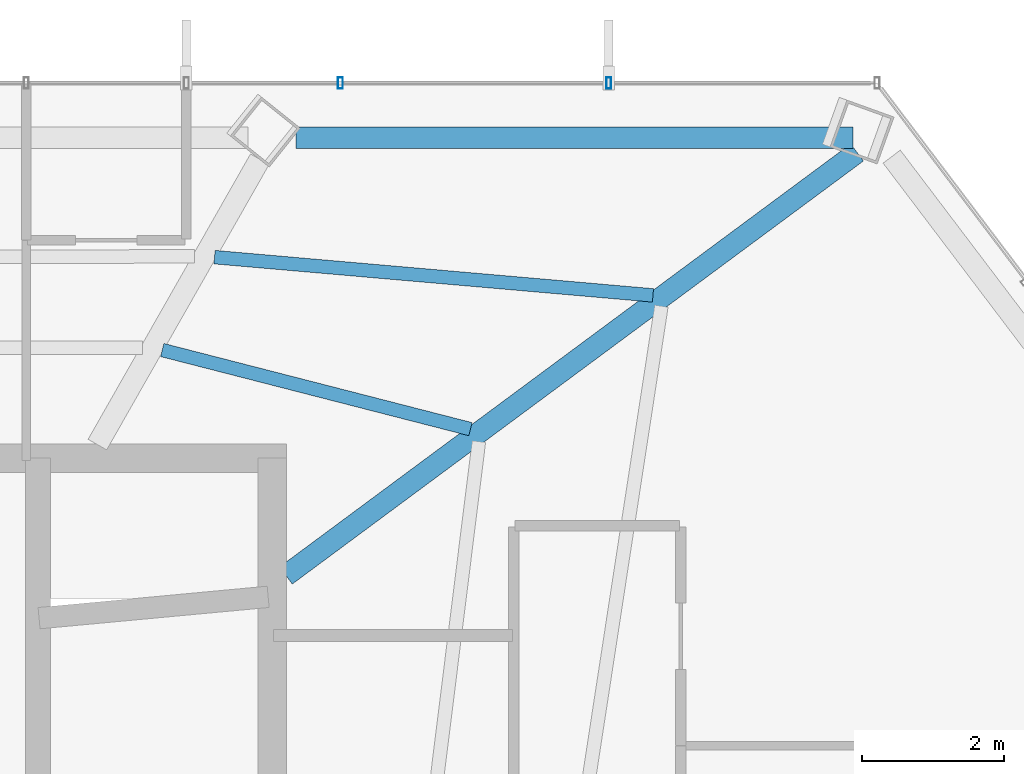
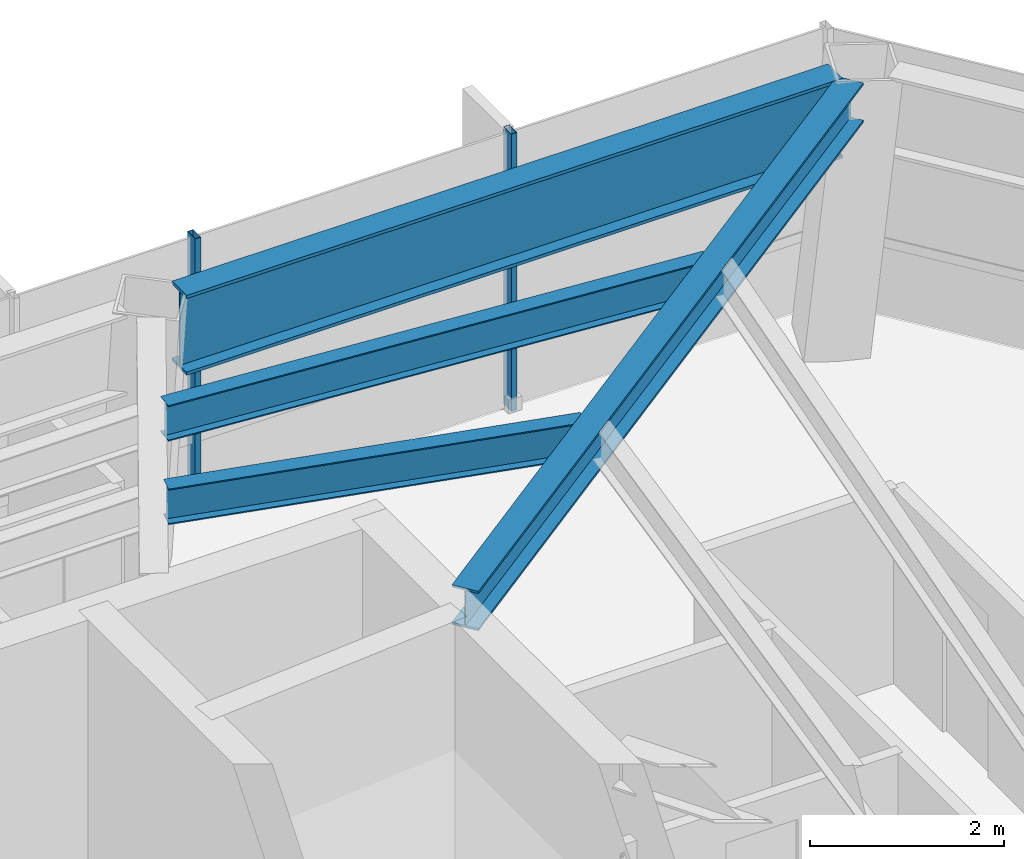
# One storey, part 21 of 27: 4 beams, 2 members, 1 element without a shape of its own.
"""IFC4 building model written with IfcOpenShell, lengths in metres."""

from ifc_helpers import new_model, si_unit, direction, frame, origin, origin_2d, place, context, subcontext, project, spatial, hollow_rectangle, i_section, extrude, material, layer, layer_set, material_profile, profile_set, type_object, element, aggregate, save


model = new_model("IFC4")

# Units and contexts
model_context = context("Model", 3, precision=1e-05, world=origin(), true_north=direction((0.0, 1.0)))
body_context = subcontext(model_context, "Body", "Model", "MODEL_VIEW")
ifc_project = project(units=[si_unit("LENGTHUNIT", "METRE"), si_unit("AREAUNIT", "SQUARE_METRE"), si_unit("VOLUMEUNIT", "CUBIC_METRE"), si_unit("PLANEANGLEUNIT", "RADIAN"), si_unit("MASSUNIT", "GRAM", prefix="KILO")], contexts=[model_context])

# Site, building, storey
site_placement = place(None, origin())
site = spatial("IfcSite", under=ifc_project, at=site_placement, CompositionType="ELEMENT")
building_placement = place(site_placement, origin())
building = spatial("IfcBuilding", under=site, at=building_placement, Name="Zarrinselat Tower", CompositionType="ELEMENT")
storey_placement = place(building_placement, frame((0.0, 0.0, 183.260009765625)))
storey = spatial("IfcBuildingStorey", under=building, at=storey_placement, Name="L45", CompositionType="ELEMENT", Elevation=183.260009765625)

# Beams
ifc_material_1 = material(Name="Steel S355J2", Category="steel")
ifc_material_profile_1 = material_profile(ifc_material_1, i_section(OverallWidth=0.300048828125, OverallDepth=0.5, WebThickness=0.014404296875, FlangeThickness=0.028076171875, at=origin_2d()), Name="HEB 500")
ifc_profile_set_1 = profile_set([ifc_material_profile_1], Name="Steel S355J2")
beam_type_1 = type_object("IfcBeamType", Name="BM-HEB500", PredefinedType="BEAM", material=ifc_profile_set_1)
beam_1_placement = place(storey_placement, frame((48.449951171875, 41.800048828125, 3.25), z_axis=(0.803555028613, 0.595230473003, 0.0), x_axis=(-0.595230473003, 0.803555028613, 0.0)))
element("IfcBeam", 1, at=beam_1_placement, inside=storey, type_object=beam_type_1, Name="L45 Radial Primary Girder RG01", PredefinedType="BEAM", context=body_context, shape_type="SweptSolid", body=[
    extrude(i_section(OverallWidth=0.300048828125, OverallDepth=0.5, WebThickness=0.014404296875, FlangeThickness=0.028076171875, at=origin_2d()), origin(), (0.0, 0.0, 1.0), 9.989501953125),
])
ifc_material_2 = material(Name="Steel S460M", Category="steel")
ifc_material_profile_2 = material_profile(ifc_material_2, i_section(OverallWidth=0.302001953125, OverallDepth=1.008056640625, WebThickness=0.02099609375, FlangeThickness=0.0400390625, at=origin_2d()), Name="HEM 1000")
ifc_profile_set_2 = profile_set([ifc_material_profile_2], Name="Steel S460M")
beam_type_2 = type_object("IfcBeamType", Name="BM-HEM1000", PredefinedType="BEAM", material=ifc_profile_set_2)
beam_2_placement = place(storey_placement, frame((48.59423828125, 47.95556640625, 2.99609375), z_axis=(1.0, 0.0, 0.0), x_axis=(0.0, 1.0, 0.0)))
element("IfcBeam", 2, at=beam_2_placement, inside=storey, type_object=beam_type_2, Name="L45 Perimeter Spandrel Girder SP01", PredefinedType="BEAM", context=body_context, shape_type="SweptSolid", body=[
    extrude(i_section(OverallWidth=0.302001953125, OverallDepth=1.008056640625, WebThickness=0.02099609375, FlangeThickness=0.0400390625, at=origin_2d()), origin(), (0.0, 0.0, 1.0), 7.827880859375),
])
ifc_material_3 = material(Name="Steel S355J2", Category="steel")
ifc_material_profile_3 = material_profile(ifc_material_3, i_section(OverallWidth=0.18994140625, OverallDepth=0.449951171875, WebThickness=0.009521484375, FlangeThickness=0.0146484375, at=origin_2d()), Name="IPE 450")
ifc_profile_set_3 = profile_set([ifc_material_profile_3], Name="Steel S355J2")
beam_type_3 = type_object("IfcBeamType", Name="BM-IPE450", PredefinedType="JOIST", material=ifc_profile_set_3)
beam_3_placement = place(storey_placement, frame((47.44580078125, 46.274169921875, 3.27490234375), z_axis=(0.996216559023, -0.08690550919, 0.0), x_axis=(0.08690550919, 0.996216559023, 0.0)))
element("IfcBeam", 3, at=beam_3_placement, inside=storey, type_object=beam_type_3, Name="L45 Composite Floor Joist 6-1", PredefinedType="JOIST", context=body_context, shape_type="SweptSolid", body=[
    extrude(i_section(OverallWidth=0.18994140625, OverallDepth=0.449951171875, WebThickness=0.009521484375, FlangeThickness=0.0146484375, at=origin_2d()), origin(), (0.0, 0.0, 1.0), 6.18603515625),
])
beam_4_placement = place(storey_placement, frame((46.71142578125, 44.968505859375, 3.27490234375), z_axis=(0.968598169418, -0.248631426413, 0.0), x_axis=(0.248631426413, 0.968598169418, 0.0)))
element("IfcBeam", 4, at=beam_4_placement, inside=storey, type_object=beam_type_3, Name="L45 Composite Floor Joist 6-2", PredefinedType="JOIST", context=body_context, shape_type="SweptSolid", body=[
    extrude(i_section(OverallWidth=0.18994140625, OverallDepth=0.449951171875, WebThickness=0.009521484375, FlangeThickness=0.0146484375, at=origin_2d()), origin(), (0.0, 0.0, 1.0), 4.47265625),
])

# Curtain wall, members
ifc_material_4 = material(Name="Extruded Aluminium Alloy EN AW-6063 T6", Category="aluminium")
ifc_layer = layer(ifc_material_4, 0.175048828125)
ifc_layer_set = layer_set([ifc_layer], Name="Extruded Aluminium Alloy EN AW-6063 T6")
curtain_wall_type = type_object("IfcCurtainWallType", Name="CWS-HTL", PredefinedType="NOTDEFINED", material=ifc_layer_set)
curtain_wall_placement = place(storey_placement, origin())
curtain_wall = element("IfcCurtainWall", 5, at=curtain_wall_placement, inside=storey, type_object=curtain_wall_type, Name="L45 Unitised Curtain Wall CW-L45-E01", PredefinedType="NOTDEFINED")
ifc_material_5 = material(Name="Extruded Aluminium Alloy EN AW-6063 T6", Category="aluminium")
ifc_material_profile_4 = material_profile(ifc_material_5, hollow_rectangle(XDim=0.070068359375, YDim=0.159912109375, WallThickness=0.00390625, at=origin_2d()), Name="RHS 160x70x4")
ifc_profile_set_4 = profile_set([ifc_material_profile_4], Name="Extruded Aluminium Alloy EN AW-6063 T6")
member_type = type_object("IfcMemberType", Name="MEM-CW-MUL2", PredefinedType="MULLION", material=ifc_profile_set_4)
member_1_placement = place(storey_placement, frame((52.98681640625, 48.72216796875, 0.0), z_axis=(0.0, 0.0, 1.0), x_axis=(-1.0, 0.0, 0.0)))
member_1 = element("IfcMember", 6, at=member_1_placement, type_object=member_type, Name="CW-L45-E01 Mullion 1", PredefinedType="MULLION", context=body_context, shape_type="SweptSolid", body=[
    extrude(hollow_rectangle(XDim=0.070068359375, YDim=0.159912109375, WallThickness=0.00390625, at=origin_2d()), origin(), (0.0, 0.0, 1.0), 3.5),
])
member_2_placement = place(storey_placement, frame((49.214599609375, 48.72216796875, 0.0), z_axis=(0.0, 0.0, 1.0), x_axis=(-1.0, 0.0, 0.0)))
member_2 = element("IfcMember", 7, at=member_2_placement, type_object=member_type, Name="CW-L45-E01 Mullion 2", PredefinedType="MULLION", context=body_context, shape_type="SweptSolid", body=[
    extrude(hollow_rectangle(XDim=0.070068359375, YDim=0.159912109375, WallThickness=0.00390625, at=origin_2d()), origin(), (0.0, 0.0, 1.0), 3.5),
])
aggregate(curtain_wall, [member_1, member_2])

save(model, "model.ifc")
